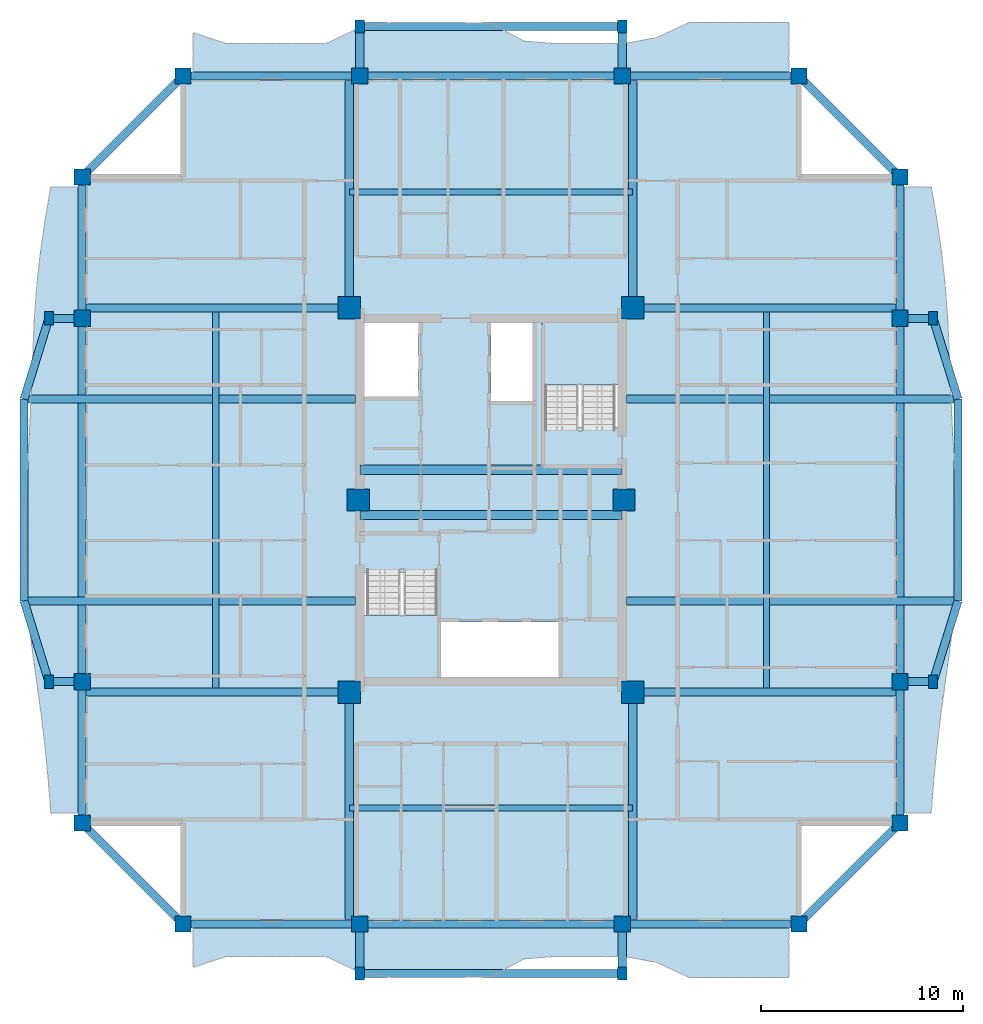
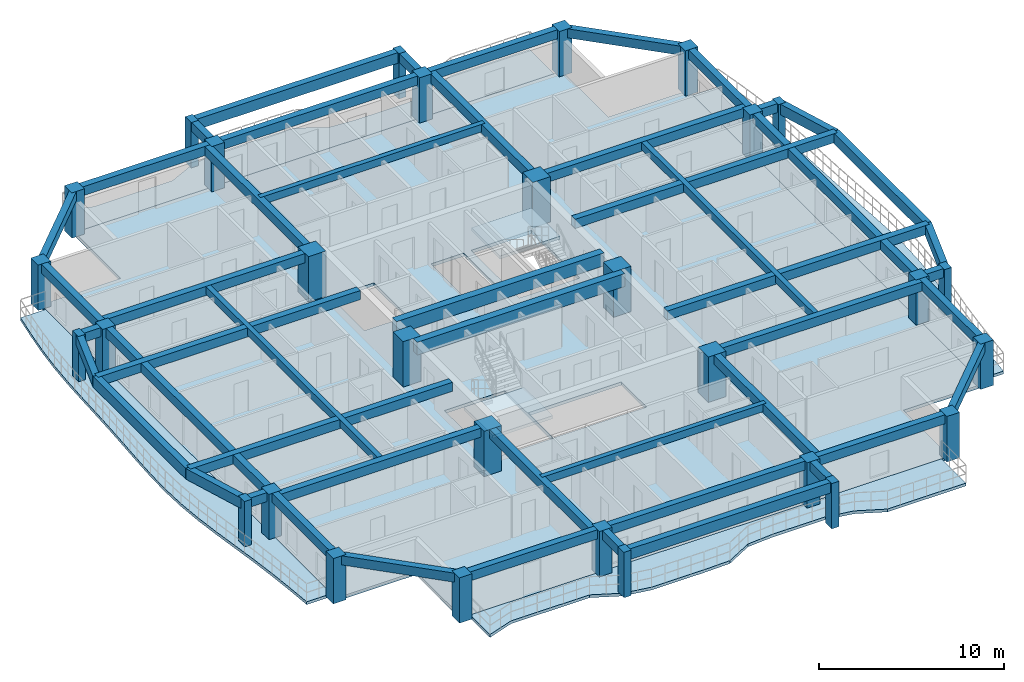
# One storey, part 1 of 13: 50 beams, 30 columns, 7 slabs, 2 elements without a shape of their own.
"""IFC4 building model written with IfcOpenShell, lengths in metres."""

from ifc_helpers import new_model, si_unit, direction, frame, origin, origin_2d, place, context, subcontext, project, spatial, polyline, rectangle, outline, extrude, source, transform, mapped, material, layer, layer_set, material_profile, profile_set, type_object, element, aggregate, save


model = new_model("IFC4")

# Units and contexts
model_context = context("Model", 3, precision=1e-05, world=origin(), true_north=direction((0.0, 1.0)))
body_context = subcontext(model_context, "Body", "Model", "MODEL_VIEW")
ifc_project = project(units=[si_unit("LENGTHUNIT", "METRE"), si_unit("AREAUNIT", "SQUARE_METRE"), si_unit("VOLUMEUNIT", "CUBIC_METRE"), si_unit("PLANEANGLEUNIT", "RADIAN"), si_unit("MASSUNIT", "GRAM", prefix="KILO")], contexts=[model_context])

# Site, building, storey
site_placement = place(None, origin())
site = spatial("IfcSite", under=ifc_project, at=site_placement, CompositionType="ELEMENT")
building_placement = place(site_placement, origin())
building = spatial("IfcBuilding", under=site, at=building_placement, Name="Saelheon Loggia Tower", CompositionType="ELEMENT")
storey_placement = place(building_placement, frame((0.0, 0.0, 179.800048828125)))
storey = spatial("IfcBuildingStorey", under=building, at=storey_placement, Name="L56", CompositionType="ELEMENT", Elevation=179.800048828125)

# Columns
ifc_material_1 = material(Name="Concrete C50/60", Category="concrete")
ifc_material_profile_1 = material_profile(ifc_material_1, rectangle(XDim=1.10009765625, YDim=1.10009765625, at=origin_2d()), Name="RC-1100x1100")
ifc_profile_set_1 = profile_set([ifc_material_profile_1], Name="Concrete C50/60")
column_type_1 = type_object("IfcColumnType", Name="Col_Core_RC1100", PredefinedType="COLUMN", material=ifc_profile_set_1)
shared_shape_1 = source(origin(), body_context, "Body", "SweptSolid", [
    extrude(rectangle(XDim=1.10009765625, YDim=1.10009765625, at=origin_2d()), origin(), (0.0, 0.0, 1.0), 3.0),
])
for number, where, z_axis, x_axis, name in (
    (1, (30.97998046875, 17.47998046875, 0.0), (0.0, 0.0, 1.0), (1.0, 0.0, 0.0), "L56 Core Column CR-SW"),
    (2, (45.02001953125, 17.47998046875, 0.0), (0.0, 0.0, 1.0), (1.0, 0.0, 0.0), "L56 Core Column CR-SE"),
    (3, (30.97998046875, 36.52001953125, 0.0), (0.0, 0.0, 1.0), (1.0, 0.0, 0.0), "L56 Core Column CR-NW"),
    (4, (45.02001953125, 36.52001953125, 0.0), (0.0, 0.0, 1.0), (1.0, 0.0, 0.0), "L56 Core Column CR-NE"),
    (5, (31.419921875, 27.0, 0.0), (0.0, 0.0, 1.0), (1.0, 0.0, 0.0), "L56 Core Column CR-MW"),
    (6, (44.580078125, 27.0, 0.0), (0.0, 0.0, 1.0), (1.0, 0.0, 0.0), "L56 Core Column CR-ME"),
):
    element("IfcColumn", number, at=place(storey_placement, frame(where, z_axis=z_axis, x_axis=x_axis)), inside=storey, type_object=column_type_1, Name=name, PredefinedType="COLUMN", context=body_context, shape_type="MappedRepresentation", body=[
        mapped(shared_shape_1, transform((0.0, 0.0, 0.0), scale=1.0)),
    ])
ifc_material_2 = material(Name="Concrete C45/55", Category="concrete")
ifc_material_profile_2 = material_profile(ifc_material_2, rectangle(XDim=0.800048828125, YDim=0.800048828125, at=origin_2d()), Name="RC-800x800")
ifc_profile_set_2 = profile_set([ifc_material_profile_2], Name="Concrete C45/55")
column_type_2 = type_object("IfcColumnType", Name="Col_Perim_RC800", PredefinedType="COLUMN", material=ifc_profile_set_2)
shared_shape_2 = source(origin(), body_context, "Body", "SweptSolid", [
    extrude(rectangle(XDim=0.800048828125, YDim=0.800048828125, at=origin_2d()), origin(), (0.0, 0.0, 1.0), 3.0),
])
for number, where, z_axis, x_axis, name in (
    (7, (22.75, 6.0, 0.0), (0.0, 0.0, 1.0), (1.0, 0.0, 0.0), "L56 Perimeter Column TP-S1"),
    (8, (31.5, 6.0, 0.0), (0.0, 0.0, 1.0), (1.0, 0.0, 0.0), "L56 Perimeter Column TP-SA"),
    (9, (44.5, 6.0, 0.0), (0.0, 0.0, 1.0), (1.0, 0.0, 0.0), "L56 Perimeter Column TP-SB"),
    (10, (53.25, 6.0, 0.0), (0.0, 0.0, 1.0), (1.0, 0.0, 0.0), "L56 Perimeter Column TP-S2"),
    (11, (58.25, 11.0, 0.0), (0.0, 0.0, 1.0), (1.0, 0.0, 0.0), "L56 Perimeter Column TP-E1"),
    (12, (58.25, 18.0, 0.0), (0.0, 0.0, 1.0), (1.0, 0.0, 0.0), "L56 Perimeter Column TP-EA"),
    (13, (58.25, 36.0, 0.0), (0.0, 0.0, 1.0), (1.0, 0.0, 0.0), "L56 Perimeter Column TP-EB"),
    (14, (58.25, 43.0, 0.0), (0.0, 0.0, 1.0), (1.0, 0.0, 0.0), "L56 Perimeter Column TP-E2"),
    (15, (53.25, 48.0, 0.0), (0.0, 0.0, 1.0), (1.0, 0.0, 0.0), "L56 Perimeter Column TP-N2"),
    (16, (44.5, 48.0, 0.0), (0.0, 0.0, 1.0), (1.0, 0.0, 0.0), "L56 Perimeter Column TP-NB"),
    (17, (31.5, 48.0, 0.0), (0.0, 0.0, 1.0), (1.0, 0.0, 0.0), "L56 Perimeter Column TP-NA"),
    (18, (22.75, 48.0, 0.0), (0.0, 0.0, 1.0), (1.0, 0.0, 0.0), "L56 Perimeter Column TP-N1"),
    (19, (17.75, 43.0, 0.0), (0.0, 0.0, 1.0), (1.0, 0.0, 0.0), "L56 Perimeter Column TP-W2"),
    (20, (17.75, 36.0, 0.0), (0.0, 0.0, 1.0), (1.0, 0.0, 0.0), "L56 Perimeter Column TP-WB"),
    (21, (17.75, 18.0, 0.0), (0.0, 0.0, 1.0), (1.0, 0.0, 0.0), "L56 Perimeter Column TP-WA"),
    (22, (17.75, 11.0, 0.0), (0.0, 0.0, 1.0), (1.0, 0.0, 0.0), "L56 Perimeter Column TP-W1"),
):
    element("IfcColumn", number, at=place(storey_placement, frame(where, z_axis=z_axis, x_axis=x_axis)), inside=storey, type_object=column_type_2, Name=name, PredefinedType="COLUMN", context=body_context, shape_type="MappedRepresentation", body=[
        mapped(shared_shape_2, transform((0.0, 0.0, 0.0), scale=1.0)),
    ])
ifc_material_3 = material(Name="Precast Concrete C45/55", Category="concrete")
ifc_material_profile_3 = material_profile(ifc_material_3, rectangle(XDim=0.449951171875, YDim=0.64990234375, at=origin_2d()), Name="RC-450x650")
ifc_profile_set_3 = profile_set([ifc_material_profile_3], Name="Precast Concrete C45/55")
column_type_3 = type_object("IfcColumnType", Name="Col_Loggia_Pilaster_650", PredefinedType="PILASTER", material=ifc_profile_set_3)
shared_shape_3 = source(origin(), body_context, "Body", "SweptSolid", [
    extrude(rectangle(XDim=0.449951171875, YDim=0.64990234375, at=origin_2d()), origin(), (0.0, 0.0, 1.0), 3.0),
])
for number, where, z_axis, x_axis, name in (
    (23, (31.5, 3.550048828125, 0.0), (0.0, 0.0, 1.0), (1.0, 0.0, 0.0), "L56 Loggia Frame Pilaster LP-S1"),
    (24, (44.5, 3.550048828125, 0.0), (0.0, 0.0, 1.0), (1.0, 0.0, 0.0), "L56 Loggia Frame Pilaster LP-S2"),
    (25, (31.5, 50.449951171875, 0.0), (0.0, 0.0, 1.0), (1.0, 0.0, 0.0), "L56 Loggia Frame Pilaster LP-N1"),
    (26, (44.5, 50.449951171875, 0.0), (0.0, 0.0, 1.0), (1.0, 0.0, 0.0), "L56 Loggia Frame Pilaster LP-N2"),
    (27, (59.89990234375, 18.0, 0.0), (0.0, 0.0, 1.0), (1.0, 0.0, 0.0), "L56 Loggia Frame Pilaster LP-E1"),
    (28, (59.89990234375, 36.0, 0.0), (0.0, 0.0, 1.0), (1.0, 0.0, 0.0), "L56 Loggia Frame Pilaster LP-E2"),
    (29, (16.10009765625, 18.0, 0.0), (0.0, 0.0, 1.0), (1.0, 0.0, 0.0), "L56 Loggia Frame Pilaster LP-W1"),
    (30, (16.10009765625, 36.0, 0.0), (0.0, 0.0, 1.0), (1.0, 0.0, 0.0), "L56 Loggia Frame Pilaster LP-W2"),
):
    element("IfcColumn", number, at=place(storey_placement, frame(where, z_axis=z_axis, x_axis=x_axis)), inside=storey, type_object=column_type_3, Name=name, PredefinedType="PILASTER", context=body_context, shape_type="MappedRepresentation", body=[
        mapped(shared_shape_3, transform((0.0, 0.0, 0.0), scale=1.0)),
    ])

# Beams
ifc_material_profile_4 = material_profile(ifc_material_1, rectangle(XDim=0.449951171875, YDim=0.85009765625, at=origin_2d()), Name="RC-450x850")
ifc_profile_set_4 = profile_set([ifc_material_profile_4], Name="Concrete C50/60")
beam_type_1 = type_object("IfcBeamType", Name="Beam_CoreLintel_RC450x850", PredefinedType="LINTEL", material=ifc_profile_set_4)
shared_shape_4 = source(origin(), body_context, "Body", "SweptSolid", [
    extrude(rectangle(XDim=0.449951171875, YDim=0.85009765625, at=origin_2d()), origin(), (0.0, 0.0, 1.0), 13.0),
])
for number, where, z_axis, x_axis, name in (
    (31, (31.5, 26.25, 2.574951171875), (1.0, 0.0, 0.0), (0.0, 1.0, 0.0), "L56 Core Coupling Lintel 1"),
    (32, (31.5, 28.5, 2.574951171875), (1.0, 0.0, 0.0), (0.0, 1.0, 0.0), "L56 Core Coupling Lintel 2"),
):
    element("IfcBeam", number, at=place(storey_placement, frame(where, z_axis=z_axis, x_axis=x_axis)), inside=storey, type_object=beam_type_1, Name=name, PredefinedType="LINTEL", context=body_context, shape_type="MappedRepresentation", body=[
        mapped(shared_shape_4, transform((0.0, 0.0, 0.0), scale=1.0)),
    ])
ifc_material_profile_5 = material_profile(ifc_material_3, rectangle(XDim=0.39990234375, YDim=0.60009765625, at=origin_2d()), Name="RC-400x600")
ifc_profile_set_5 = profile_set([ifc_material_profile_5], Name="Precast Concrete C45/55")
beam_type_2 = type_object("IfcBeamType", Name="Beam_LoggiaTie_RC400x600", PredefinedType="BEAM", material=ifc_profile_set_5)
shared_shape_5 = source(origin(), body_context, "Body", "SweptSolid", [
    extrude(rectangle(XDim=0.39990234375, YDim=0.60009765625, at=origin_2d()), origin(), (0.0, 0.0, 1.0), 2.449951171875),
])
for number, where, z_axis, x_axis, name in (
    (33, (31.5, 6.0, 2.699951171875), (0.0, -1.0, 0.0), (1.0, 0.0, 0.0), "L56 Loggia Frame Tie Beam LP-S1"),
    (34, (44.5, 6.0, 2.699951171875), (0.0, -1.0, 0.0), (1.0, 0.0, 0.0), "L56 Loggia Frame Tie Beam LP-S2"),
    (35, (31.5, 48.0, 2.699951171875), (0.0, 1.0, 0.0), (-1.0, 0.0, 0.0), "L56 Loggia Frame Tie Beam LP-N1"),
    (36, (44.5, 48.0, 2.699951171875), (0.0, 1.0, 0.0), (-1.0, 0.0, 0.0), "L56 Loggia Frame Tie Beam LP-N2"),
):
    element("IfcBeam", number, at=place(storey_placement, frame(where, z_axis=z_axis, x_axis=x_axis)), inside=storey, type_object=beam_type_2, Name=name, PredefinedType="BEAM", context=body_context, shape_type="MappedRepresentation", body=[
        mapped(shared_shape_5, transform((0.0, 0.0, 0.0), scale=1.0)),
    ])
ifc_material_4 = material(Name="Concrete C40/50", Category="concrete")
ifc_material_profile_6 = material_profile(ifc_material_4, rectangle(XDim=0.300048828125, YDim=0.5, at=origin_2d()), Name="RC-300x500")
ifc_profile_set_6 = profile_set([ifc_material_profile_6], Name="Concrete C40/50")
beam_type_3 = type_object("IfcBeamType", Name="Beam_Joist_RC300x500", PredefinedType="JOIST", material=ifc_profile_set_6)
shared_shape_6 = source(origin(), body_context, "Body", "SweptSolid", [
    extrude(rectangle(XDim=0.300048828125, YDim=0.5, at=origin_2d()), origin(), (0.0, 0.0, 1.0), 14.0400390625),
])
for number, where, z_axis, x_axis, name in (
    (37, (30.97998046875, 11.739990234375, 2.75), (1.0, 0.0, 0.0), (0.0, 1.0, 0.0), "L56 South Floor Joist"),
    (38, (30.97998046875, 42.260009765625, 2.75), (1.0, 0.0, 0.0), (0.0, 1.0, 0.0), "L56 North Floor Joist"),
):
    element("IfcBeam", number, at=place(storey_placement, frame(where, z_axis=z_axis, x_axis=x_axis)), inside=storey, type_object=beam_type_3, Name=name, PredefinedType="JOIST", context=body_context, shape_type="MappedRepresentation", body=[
        mapped(shared_shape_6, transform((0.0, 0.0, 0.0), scale=1.0)),
    ])
shared_shape_7 = source(origin(), body_context, "Body", "SweptSolid", [
    extrude(rectangle(XDim=0.300048828125, YDim=0.5, at=origin_2d()), origin(), (0.0, 0.0, 1.0), 19.0400390625),
])
for number, where, z_axis, x_axis, name in (
    (39, (24.364990234375, 17.47998046875, 2.75), (0.0, 1.0, 0.0), (-1.0, 0.0, 0.0), "L56 West Floor Joist"),
    (40, (51.635009765625, 17.47998046875, 2.75), (0.0, 1.0, 0.0), (-1.0, 0.0, 0.0), "L56 East Floor Joist"),
):
    element("IfcBeam", number, at=place(storey_placement, frame(where, z_axis=z_axis, x_axis=x_axis)), inside=storey, type_object=beam_type_3, Name=name, PredefinedType="JOIST", context=body_context, shape_type="MappedRepresentation", body=[
        mapped(shared_shape_7, transform((0.0, 0.0, 0.0), scale=1.0)),
    ])
shared_shape_8 = source(origin(), body_context, "Body", "SweptSolid", [
    extrude(rectangle(XDim=0.39990234375, YDim=0.60009765625, at=origin_2d()), origin(), (0.0, 0.0, 1.0), 1.64990234375),
])
for number, where, z_axis, x_axis, name in (
    (41, (58.25, 18.0, 2.699951171875), (1.0, 0.0, 0.0), (0.0, 1.0, 0.0), "L56 Loggia Frame Tie Beam LP-E1"),
    (42, (58.25, 36.0, 2.699951171875), (1.0, 0.0, 0.0), (0.0, 1.0, 0.0), "L56 Loggia Frame Tie Beam LP-E2"),
    (43, (17.75, 18.0, 2.699951171875), (-1.0, 0.0, 0.0), (0.0, -1.0, 0.0), "L56 Loggia Frame Tie Beam LP-W1"),
    (44, (17.75, 36.0, 2.699951171875), (-1.0, 0.0, 0.0), (0.0, -1.0, 0.0), "L56 Loggia Frame Tie Beam LP-W2"),
):
    element("IfcBeam", number, at=place(storey_placement, frame(where, z_axis=z_axis, x_axis=x_axis)), inside=storey, type_object=beam_type_2, Name=name, PredefinedType="BEAM", context=body_context, shape_type="MappedRepresentation", body=[
        mapped(shared_shape_8, transform((0.0, 0.0, 0.0), scale=1.0)),
    ])
ifc_material_profile_7 = material_profile(ifc_material_3, rectangle(XDim=0.39990234375, YDim=0.699951171875, at=origin_2d()), Name="RC-400x700")
ifc_profile_set_7 = profile_set([ifc_material_profile_7], Name="Precast Concrete C45/55")
beam_type_4 = type_object("IfcBeamType", Name="Beam_LoggiaSpandrel_RC400x700", PredefinedType="SPANDREL", material=ifc_profile_set_7)
shared_shape_9 = source(origin(), body_context, "Body", "SweptSolid", [
    extrude(rectangle(XDim=0.39990234375, YDim=0.699951171875, at=origin_2d()), origin(), (0.0, 0.0, 1.0), 13.0),
])
for number, where, z_axis, x_axis, name in (
    (45, (31.5, 3.550048828125, 2.64990234375), (1.0, 0.0, 0.0), (0.0, 1.0, 0.0), "L56 Loggia Spandrel Beam S"),
    (46, (31.5, 50.449951171875, 2.64990234375), (1.0, 0.0, 0.0), (0.0, 1.0, 0.0), "L56 Loggia Spandrel Beam N"),
):
    element("IfcBeam", number, at=place(storey_placement, frame(where, z_axis=z_axis, x_axis=x_axis)), inside=storey, type_object=beam_type_4, Name=name, PredefinedType="SPANDREL", context=body_context, shape_type="MappedRepresentation", body=[
        mapped(shared_shape_9, transform((0.0, 0.0, 0.0), scale=1.0)),
    ])
shared_shape_10 = source(origin(), body_context, "Body", "SweptSolid", [
    extrude(rectangle(XDim=0.39990234375, YDim=0.60009765625, at=origin_2d()), origin(), (0.0, 0.0, 1.0), 16.409912109375),
])
for number, where, z_axis, x_axis, name in (
    (47, (44.719970703125, 22.0, 2.699951171875), (1.0, 0.0, 0.0), (0.0, 1.0, 0.0), "L56 Curved Facade Outrigger Beam E 1"),
    (48, (44.719970703125, 32.0, 2.699951171875), (1.0, 0.0, 0.0), (0.0, 1.0, 0.0), "L56 Curved Facade Outrigger Beam E 2"),
    (49, (31.280029296875, 22.0, 2.699951171875), (-1.0, 0.0, 0.0), (0.0, -1.0, 0.0), "L56 Curved Facade Outrigger Beam W 1"),
    (50, (31.280029296875, 32.0, 2.699951171875), (-1.0, 0.0, 0.0), (0.0, -1.0, 0.0), "L56 Curved Facade Outrigger Beam W 2"),
):
    element("IfcBeam", number, at=place(storey_placement, frame(where, z_axis=z_axis, x_axis=x_axis)), inside=storey, type_object=beam_type_2, Name=name, PredefinedType="BEAM", context=body_context, shape_type="MappedRepresentation", body=[
        mapped(shared_shape_10, transform((0.0, 0.0, 0.0), scale=1.0)),
    ])
shared_shape_11 = source(origin(), body_context, "Body", "SweptSolid", [
    extrude(rectangle(XDim=0.39990234375, YDim=0.699951171875, at=origin_2d()), origin(), (0.0, 0.0, 1.0), 4.184814453125),
])
for number, where, z_axis, x_axis, name in (
    (51, (59.89990234375, 18.0, 2.64990234375), (0.293913664135, 0.955831971653, 0.0), (-0.955831971653, 0.293913664135, 0.0), "L56 Curved Loggia Spandrel E 1"),
    (52, (61.1298828125, 32.0, 2.64990234375), (-0.293913664135, 0.955831971653, 0.0), (-0.955831971653, -0.293913664135, 0.0), "L56 Curved Loggia Spandrel E 3"),
    (53, (16.10009765625, 18.0, 2.64990234375), (-0.293913664135, 0.955831971653, 0.0), (-0.955831971653, -0.293913664135, 0.0), "L56 Curved Loggia Spandrel W 1"),
    (54, (14.8701171875, 32.0, 2.64990234375), (0.293913664135, 0.955831971653, 0.0), (-0.955831971653, 0.293913664135, 0.0), "L56 Curved Loggia Spandrel W 3"),
):
    element("IfcBeam", number, at=place(storey_placement, frame(where, z_axis=z_axis, x_axis=x_axis)), inside=storey, type_object=beam_type_4, Name=name, PredefinedType="SPANDREL", context=body_context, shape_type="MappedRepresentation", body=[
        mapped(shared_shape_11, transform((0.0, 0.0, 0.0), scale=1.0)),
    ])
shared_shape_12 = source(origin(), body_context, "Body", "SweptSolid", [
    extrude(rectangle(XDim=0.39990234375, YDim=0.699951171875, at=origin_2d()), origin(), (0.0, 0.0, 1.0), 10.0),
])
for number, where, z_axis, x_axis, name in (
    (55, (61.1298828125, 22.0, 2.64990234375), (0.0, 1.0, 0.0), (-1.0, 0.0, 0.0), "L56 Curved Loggia Spandrel E 2"),
    (56, (14.8701171875, 22.0, 2.64990234375), (0.0, 1.0, 0.0), (-1.0, 0.0, 0.0), "L56 Curved Loggia Spandrel W 2"),
):
    element("IfcBeam", number, at=place(storey_placement, frame(where, z_axis=z_axis, x_axis=x_axis)), inside=storey, type_object=beam_type_4, Name=name, PredefinedType="SPANDREL", context=body_context, shape_type="MappedRepresentation", body=[
        mapped(shared_shape_12, transform((0.0, 0.0, 0.0), scale=1.0)),
    ])
ifc_material_profile_8 = material_profile(ifc_material_4, rectangle(XDim=0.39990234375, YDim=0.60009765625, at=origin_2d()), Name="RC-400x600")
ifc_profile_set_8 = profile_set([ifc_material_profile_8], Name="Concrete C40/50")
beam_type_5 = type_object("IfcBeamType", Name="Beam_PerimUpper_RC400x600", PredefinedType="BEAM", material=ifc_profile_set_8)
shared_shape_13 = source(origin(), body_context, "Body", "SweptSolid", [
    extrude(rectangle(XDim=0.39990234375, YDim=0.60009765625, at=origin_2d()), origin(), (0.0, 0.0, 1.0), 8.75),
])
for number, where, z_axis, x_axis, name in (
    (57, (22.75, 6.0, 2.699951171875), (1.0, 0.0, 0.0), (0.0, 1.0, 0.0), "L56 Perimeter Frame Girder 01"),
    (58, (44.5, 6.0, 2.699951171875), (1.0, 0.0, 0.0), (0.0, 1.0, 0.0), "L56 Perimeter Frame Girder 03"),
    (59, (53.25, 48.0, 2.699951171875), (-1.0, 0.0, 0.0), (0.0, -1.0, 0.0), "L56 Perimeter Frame Girder 09"),
    (60, (31.5, 48.0, 2.699951171875), (-1.0, 0.0, 0.0), (0.0, -1.0, 0.0), "L56 Perimeter Frame Girder 11"),
):
    element("IfcBeam", number, at=place(storey_placement, frame(where, z_axis=z_axis, x_axis=x_axis)), inside=storey, type_object=beam_type_5, Name=name, PredefinedType="BEAM", context=body_context, shape_type="MappedRepresentation", body=[
        mapped(shared_shape_13, transform((0.0, 0.0, 0.0), scale=1.0)),
    ])
shared_shape_14 = source(origin(), body_context, "Body", "SweptSolid", [
    extrude(rectangle(XDim=0.39990234375, YDim=0.60009765625, at=origin_2d()), origin(), (0.0, 0.0, 1.0), 13.0),
])
for number, where, z_axis, x_axis, name in (
    (61, (31.5, 6.0, 2.699951171875), (1.0, 0.0, 0.0), (0.0, 1.0, 0.0), "L56 Perimeter Frame Girder 02"),
    (62, (44.5, 48.0, 2.699951171875), (-1.0, 0.0, 0.0), (0.0, -1.0, 0.0), "L56 Perimeter Frame Girder 10"),
):
    element("IfcBeam", number, at=place(storey_placement, frame(where, z_axis=z_axis, x_axis=x_axis)), inside=storey, type_object=beam_type_5, Name=name, PredefinedType="BEAM", context=body_context, shape_type="MappedRepresentation", body=[
        mapped(shared_shape_14, transform((0.0, 0.0, 0.0), scale=1.0)),
    ])
shared_shape_15 = source(origin(), body_context, "Body", "SweptSolid", [
    extrude(rectangle(XDim=0.39990234375, YDim=0.60009765625, at=origin_2d()), origin(), (0.0, 0.0, 1.0), 7.071044921875),
])
for number, where, z_axis, x_axis, name in (
    (63, (53.25, 6.0, 2.699951171875), (0.707106781187, 0.707106781187, 0.0), (-0.707106781187, 0.707106781187, 0.0), "L56 Perimeter Frame Girder 04"),
    (64, (58.25, 43.0, 2.699951171875), (-0.707106781187, 0.707106781187, 0.0), (-0.707106781187, -0.707106781187, 0.0), "L56 Perimeter Frame Girder 08"),
    (65, (22.75, 48.0, 2.699951171875), (-0.707106781187, -0.707106781187, 0.0), (0.707106781187, -0.707106781187, 0.0), "L56 Perimeter Frame Girder 12"),
    (66, (17.75, 11.0, 2.699951171875), (0.707106781187, -0.707106781187, 0.0), (0.707106781187, 0.707106781187, 0.0), "L56 Perimeter Frame Girder 16"),
):
    element("IfcBeam", number, at=place(storey_placement, frame(where, z_axis=z_axis, x_axis=x_axis)), inside=storey, type_object=beam_type_5, Name=name, PredefinedType="BEAM", context=body_context, shape_type="MappedRepresentation", body=[
        mapped(shared_shape_15, transform((0.0, 0.0, 0.0), scale=1.0)),
    ])
shared_shape_16 = source(origin(), body_context, "Body", "SweptSolid", [
    extrude(rectangle(XDim=0.39990234375, YDim=0.60009765625, at=origin_2d()), origin(), (0.0, 0.0, 1.0), 7.0),
])
for number, where, z_axis, x_axis, name in (
    (67, (58.25, 11.0, 2.699951171875), (0.0, 1.0, 0.0), (-1.0, 0.0, 0.0), "L56 Perimeter Frame Girder 05"),
    (68, (58.25, 36.0, 2.699951171875), (0.0, 1.0, 0.0), (-1.0, 0.0, 0.0), "L56 Perimeter Frame Girder 07"),
    (69, (17.75, 43.0, 2.699951171875), (0.0, -1.0, 0.0), (1.0, 0.0, 0.0), "L56 Perimeter Frame Girder 13"),
    (70, (17.75, 18.0, 2.699951171875), (0.0, -1.0, 0.0), (1.0, 0.0, 0.0), "L56 Perimeter Frame Girder 15"),
):
    element("IfcBeam", number, at=place(storey_placement, frame(where, z_axis=z_axis, x_axis=x_axis)), inside=storey, type_object=beam_type_5, Name=name, PredefinedType="BEAM", context=body_context, shape_type="MappedRepresentation", body=[
        mapped(shared_shape_16, transform((0.0, 0.0, 0.0), scale=1.0)),
    ])
shared_shape_17 = source(origin(), body_context, "Body", "SweptSolid", [
    extrude(rectangle(XDim=0.39990234375, YDim=0.60009765625, at=origin_2d()), origin(), (0.0, 0.0, 1.0), 18.0),
])
for number, where, z_axis, x_axis, name in (
    (71, (58.25, 18.0, 2.699951171875), (0.0, 1.0, 0.0), (-1.0, 0.0, 0.0), "L56 Perimeter Frame Girder 06"),
    (72, (17.75, 36.0, 2.699951171875), (0.0, -1.0, 0.0), (1.0, 0.0, 0.0), "L56 Perimeter Frame Girder 14"),
):
    element("IfcBeam", number, at=place(storey_placement, frame(where, z_axis=z_axis, x_axis=x_axis)), inside=storey, type_object=beam_type_5, Name=name, PredefinedType="BEAM", context=body_context, shape_type="MappedRepresentation", body=[
        mapped(shared_shape_17, transform((0.0, 0.0, 0.0), scale=1.0)),
    ])
ifc_material_profile_9 = material_profile(ifc_material_4, rectangle(XDim=0.39990234375, YDim=0.60009765625, at=origin_2d()), Name="RC-400x600")
ifc_profile_set_9 = profile_set([ifc_material_profile_9], Name="Concrete C40/50")
beam_type_6 = type_object("IfcBeamType", Name="Beam_UpperGirder_RC400x600", PredefinedType="BEAM", material=ifc_profile_set_9)
shared_shape_18 = source(origin(), body_context, "Body", "SweptSolid", [
    extrude(rectangle(XDim=0.39990234375, YDim=0.60009765625, at=origin_2d()), origin(), (0.0, 0.0, 1.0), 11.47998046875),
])
for number, where, z_axis, x_axis, name in (
    (73, (30.97998046875, 17.47998046875, 2.699951171875), (0.0, -1.0, 0.0), (1.0, 0.0, 0.0), "L56 Radial Floor Girder RAD-SW-S"),
    (74, (45.02001953125, 17.47998046875, 2.699951171875), (0.0, -1.0, 0.0), (1.0, 0.0, 0.0), "L56 Radial Floor Girder RAD-SE-S"),
    (75, (30.97998046875, 36.52001953125, 2.699951171875), (0.0, 1.0, 0.0), (-1.0, 0.0, 0.0), "L56 Radial Floor Girder RAD-NW-N"),
    (76, (45.02001953125, 36.52001953125, 2.699951171875), (0.0, 1.0, 0.0), (-1.0, 0.0, 0.0), "L56 Radial Floor Girder RAD-NE-N"),
):
    element("IfcBeam", number, at=place(storey_placement, frame(where, z_axis=z_axis, x_axis=x_axis)), inside=storey, type_object=beam_type_6, Name=name, PredefinedType="BEAM", context=body_context, shape_type="MappedRepresentation", body=[
        mapped(shared_shape_18, transform((0.0, 0.0, 0.0), scale=1.0)),
    ])
shared_shape_19 = source(origin(), body_context, "Body", "SweptSolid", [
    extrude(rectangle(XDim=0.39990234375, YDim=0.60009765625, at=origin_2d()), origin(), (0.0, 0.0, 1.0), 13.22998046875),
])
for number, where, z_axis, x_axis, name in (
    (77, (30.97998046875, 17.47998046875, 2.699951171875), (-1.0, 0.0, 0.0), (0.0, -1.0, 0.0), "L56 Radial Floor Girder RAD-SW-W"),
    (78, (30.97998046875, 36.52001953125, 2.699951171875), (-1.0, 0.0, 0.0), (0.0, -1.0, 0.0), "L56 Radial Floor Girder RAD-NW-W"),
    (79, (45.02001953125, 17.47998046875, 2.699951171875), (1.0, 0.0, 0.0), (0.0, 1.0, 0.0), "L56 Radial Floor Girder RAD-SE-E"),
    (80, (45.02001953125, 36.52001953125, 2.699951171875), (1.0, 0.0, 0.0), (0.0, 1.0, 0.0), "L56 Radial Floor Girder RAD-NE-E"),
):
    element("IfcBeam", number, at=place(storey_placement, frame(where, z_axis=z_axis, x_axis=x_axis)), inside=storey, type_object=beam_type_6, Name=name, PredefinedType="BEAM", context=body_context, shape_type="MappedRepresentation", body=[
        mapped(shared_shape_19, transform((0.0, 0.0, 0.0), scale=1.0)),
    ])

# Slabs
ifc_layer_1 = layer(ifc_material_3, 0.18994140625)
ifc_layer_set_1 = layer_set([ifc_layer_1], Name="Precast Concrete C45/55")
slab_type_1 = type_object("IfcSlabType", Name="Slab_Loggia_Ext_190", PredefinedType="FLOOR", material=ifc_layer_set_1)
slab_1_placement = place(storey_placement, frame((0.0, 0.0, -0.18994140625)))
element("IfcSlab", 81, at=slab_1_placement, inside=storey, type_object=slab_type_1, Name="L56 Loggia Balcony Slab S", PredefinedType="FLOOR", context=body_context, shape_type="SweptSolid", body=[
    extrude(outline(polyline([(23.25, 3.85009765625), (24.888916015625, 4.39990234375), (26.52783203125, 4.39990234375), (28.166748046875, 4.39990234375), (29.8056640625, 4.39990234375), (31.4443359375, 3.636474609375), (33.083251953125, 3.35009765625), (34.72216796875, 3.35009765625), (36.361083984375, 3.35009765625), (38.0, 3.396728515625), (39.638916015625, 4.271728515625), (41.27783203125, 4.39990234375), (42.916748046875, 4.39990234375), (44.5556640625, 4.39990234375), (46.1943359375, 4.09619140625), (47.833251953125, 3.35009765625), (49.47216796875, 3.35009765625), (51.111083984375, 3.35009765625), (52.75, 3.35009765625), (52.75, 6.0), (23.25, 6.0), (23.25, 3.85009765625)])), origin(), (0.0, 0.0, 1.0), 0.18994140625),
])
slab_2_placement = place(storey_placement, frame((0.0, 0.0, -0.18994140625)))
element("IfcSlab", 82, at=slab_2_placement, inside=storey, type_object=slab_type_1, Name="L56 Loggia Balcony Slab N", PredefinedType="FLOOR", context=body_context, shape_type="SweptSolid", body=[
    extrude(outline(polyline([(23.25, 48.0), (52.75, 48.0), (52.75, 50.64990234375), (51.111083984375, 50.64990234375), (49.47216796875, 50.64990234375), (47.833251953125, 50.64990234375), (46.1943359375, 49.90380859375), (44.5556640625, 49.60009765625), (42.916748046875, 49.60009765625), (41.27783203125, 49.60009765625), (39.638916015625, 49.728271484375), (38.0, 50.603271484375), (36.361083984375, 50.64990234375), (34.72216796875, 50.64990234375), (33.083251953125, 50.64990234375), (31.4443359375, 50.363525390625), (29.8056640625, 49.60009765625), (28.166748046875, 49.60009765625), (26.52783203125, 49.60009765625), (24.888916015625, 49.60009765625), (23.25, 50.14990234375), (23.25, 48.0)])), origin(), (0.0, 0.0, 1.0), 0.18994140625),
])
slab_3_placement = place(storey_placement, frame((0.0, 0.0, -0.18994140625)))
element("IfcSlab", 83, at=slab_3_placement, inside=storey, type_object=slab_type_1, Name="L56 Loggia Balcony Slab E", PredefinedType="FLOOR", context=body_context, shape_type="SweptSolid", body=[
    extrude(outline(polyline([(58.25, 11.5), (59.800048828125, 11.5), (59.932373046875, 13.131591796875), (60.08984375, 14.76318359375), (60.284423828125, 16.394775390625), (60.5087890625, 18.0263671875), (60.73681640625, 19.657958984375), (60.9326171875, 21.28955078125), (61.06396484375, 22.921142578125), (61.114501953125, 24.552490234375), (61.089111328125, 26.18408203125), (61.01171875, 27.81591796875), (60.91455078125, 29.447509765625), (60.82470703125, 31.078857421875), (60.75390625, 32.71044921875), (60.69287109375, 34.342041015625), (60.6181640625, 35.9736328125), (60.501220703125, 37.605224609375), (60.323974609375, 39.23681640625), (60.08642578125, 40.868408203125), (59.809814453125, 42.5), (58.25, 42.5), (58.25, 11.5)])), origin(), (0.0, 0.0, 1.0), 0.18994140625),
])
slab_4_placement = place(storey_placement, frame((0.0, 0.0, -0.18994140625)))
element("IfcSlab", 84, at=slab_4_placement, inside=storey, type_object=slab_type_1, Name="L56 Loggia Balcony Slab W", PredefinedType="FLOOR", context=body_context, shape_type="SweptSolid", body=[
    extrude(outline(polyline([(17.75, 11.5), (17.75, 42.5), (16.190185546875, 42.5), (15.91357421875, 40.868408203125), (15.676025390625, 39.23681640625), (15.498779296875, 37.605224609375), (15.3818359375, 35.9736328125), (15.30712890625, 34.342041015625), (15.24609375, 32.71044921875), (15.17529296875, 31.078857421875), (15.08544921875, 29.447509765625), (14.98828125, 27.81591796875), (14.910888671875, 26.18408203125), (14.885498046875, 24.552490234375), (14.93603515625, 22.921142578125), (15.0673828125, 21.28955078125), (15.26318359375, 19.657958984375), (15.4912109375, 18.0263671875), (15.715576171875, 16.394775390625), (15.91015625, 14.76318359375), (16.067626953125, 13.131591796875), (16.199951171875, 11.5), (17.75, 11.5)])), origin(), (0.0, 0.0, 1.0), 0.18994140625),
])

# Stair, slab
stair_type = type_object("IfcStairType", Name="Stair_Escape_Core", PredefinedType="HALF_TURN_STAIR", material=ifc_material_4)
stair_1_placement = place(storey_placement, origin())
stair_1 = element("IfcStair", 85, at=stair_1_placement, inside=storey, type_object=stair_type, Name="L56 Special Escape Stair ST1", PredefinedType="HALF_TURN_STAIR")
ifc_layer_2 = layer(ifc_material_4, 0.199951171875)
ifc_layer_set_2 = layer_set([ifc_layer_2], Name="Concrete C40/50")
slab_type_2 = type_object("IfcSlabType", Name="Slab_StairLanding_ST1", PredefinedType="LANDING", material=ifc_layer_set_2)
slab_5_placement = place(storey_placement, frame((0.0, 0.0, 1.300048828125)))
slab_5 = element("IfcSlab", 86, at=slab_5_placement, type_object=slab_type_2, Name="ST1 landing 1", PredefinedType="LANDING", context=body_context, shape_type="SweptSolid", body=[
    extrude(outline(polyline([(31.7099609375, 21.31005859375), (31.7099609375, 18.2099609375), (35.469970703125, 18.2099609375), (35.469970703125, 21.31005859375), (31.7099609375, 21.31005859375)])), origin(), (0.0, 0.0, 1.0), 0.199951171875),
])
aggregate(stair_1, [slab_5])

stair_2_placement = place(storey_placement, origin())
stair_2 = element("IfcStair", 87, at=stair_2_placement, inside=storey, type_object=stair_type, Name="L56 Special Escape Stair ST2", PredefinedType="HALF_TURN_STAIR")
ifc_layer_3 = layer(ifc_material_4, 0.199951171875)
ifc_layer_set_3 = layer_set([ifc_layer_3], Name="Concrete C40/50")
slab_type_3 = type_object("IfcSlabType", Name="Slab_StairLanding_ST2", PredefinedType="LANDING", material=ifc_layer_set_3)
slab_6_placement = place(storey_placement, frame((0.0, 0.0, 1.300048828125)))
slab_6 = element("IfcSlab", 88, at=slab_6_placement, type_object=slab_type_3, Name="ST2 landing 1", PredefinedType="LANDING", context=body_context, shape_type="SweptSolid", body=[
    extrude(outline(polyline([(44.2900390625, 32.68994140625), (44.2900390625, 35.7900390625), (40.530029296875, 35.7900390625), (40.530029296875, 32.68994140625), (44.2900390625, 32.68994140625)])), origin(), (0.0, 0.0, 1.0), 0.199951171875),
])
aggregate(stair_2, [slab_6])

# Slab
ifc_layer_4 = layer(ifc_material_4, 0.2099609375)
ifc_layer_set_4 = layer_set([ifc_layer_4], Name="Concrete C40/50")
slab_type_4 = type_object("IfcSlabType", Name="Slab_Tower_210", PredefinedType="FLOOR", material=ifc_layer_set_4)
slab_7_placement = place(storey_placement, frame((0.0, 0.0, -0.2099609375)))
element("IfcSlab", 89, at=slab_7_placement, inside=storey, type_object=slab_type_4, Name="L56 Tower Floor Slab", PredefinedType="FLOOR", context=body_context, shape_type="SweptSolid", body=[
    extrude(outline(polyline([(22.75, 6.0), (53.25, 6.0), (53.25, 11.0), (58.25, 11.0), (58.25, 43.0), (53.25, 43.0), (53.25, 48.0), (22.75, 48.0), (22.75, 43.0), (17.75, 43.0), (17.75, 11.0), (22.75, 11.0), (22.75, 6.0)]), holes=[polyline([(31.699951171875, 23.409912109375), (31.699951171875, 18.199951171875), (35.47998046875, 18.199951171875), (35.47998046875, 23.409912109375), (31.699951171875, 23.409912109375)]), polyline([(44.300048828125, 30.590087890625), (44.300048828125, 35.800048828125), (40.52001953125, 35.800048828125), (40.52001953125, 30.590087890625), (44.300048828125, 30.590087890625)]), polyline([(35.530029296875, 18.22509765625), (41.35009765625, 18.22509765625), (41.35009765625, 20.9599609375), (35.530029296875, 20.9599609375), (35.530029296875, 18.22509765625)]), polyline([(31.72509765625, 32.1201171875), (34.419921875, 32.1201171875), (34.419921875, 35.77490234375), (31.72509765625, 35.77490234375), (31.72509765625, 32.1201171875)]), polyline([(38.0, 31.89990234375), (40.050048828125, 31.89990234375), (40.050048828125, 35.77490234375), (38.0, 35.77490234375), (38.0, 31.89990234375)])]), origin(), (0.0, 0.0, 1.0), 0.2099609375),
])

save(model, "model.ifc")
